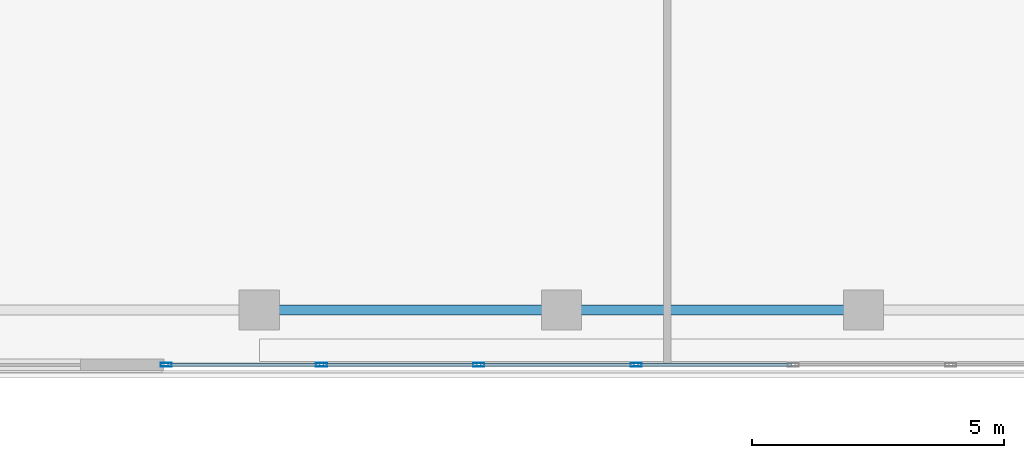
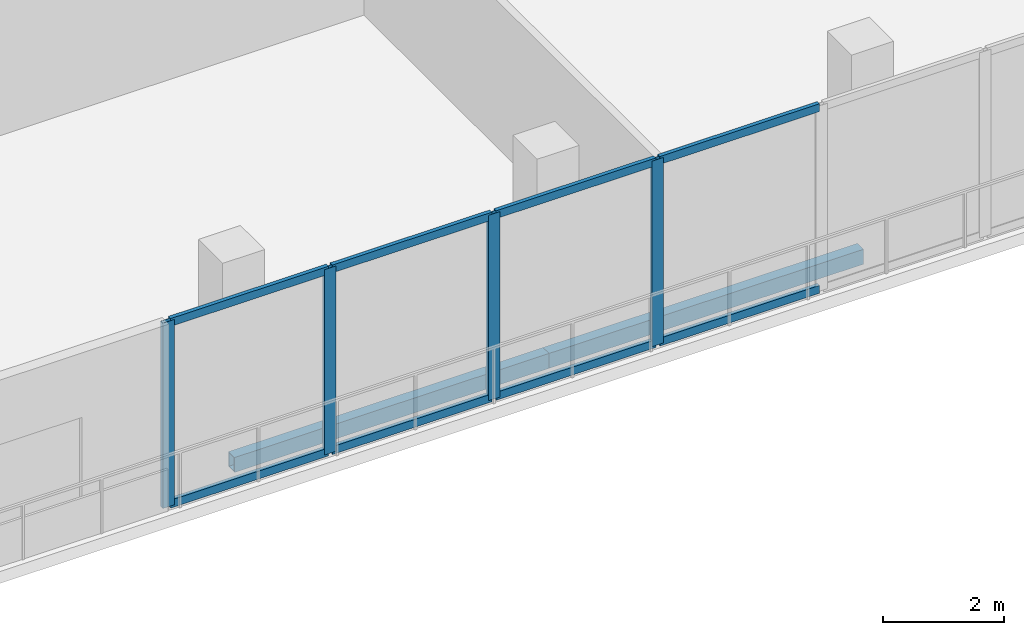
# One storey, part 6 of 26: 12 members, 2 beams, 1 element without a shape of its own.
"""IFC4 building model written with IfcOpenShell, lengths in metres."""

from ifc_helpers import new_model, si_unit, direction, frame, origin, origin_2d, place, context, subcontext, project, spatial, hollow_rectangle, extrude, material, layer, layer_set, material_profile, profile_set, type_object, element, aggregate, save


model = new_model("IFC4")

# Units and contexts
model_context = context("Model", 3, precision=1e-05, world=origin(), true_north=direction((0.0, 1.0)))
body_context = subcontext(model_context, "Body", "Model", "MODEL_VIEW")
ifc_project = project(units=[si_unit("LENGTHUNIT", "METRE"), si_unit("AREAUNIT", "SQUARE_METRE"), si_unit("VOLUMEUNIT", "CUBIC_METRE"), si_unit("PLANEANGLEUNIT", "RADIAN"), si_unit("MASSUNIT", "GRAM", prefix="KILO")], contexts=[model_context])

# Site, building, storey
site_placement = place(None, origin())
site = spatial("IfcSite", under=ifc_project, at=site_placement, CompositionType="ELEMENT")
building_placement = place(site_placement, origin())
building = spatial("IfcBuilding", under=site, at=building_placement, Name="Tanjung Sevakor Pilgrim Tower", CompositionType="ELEMENT")
storey_placement = place(building_placement, frame((0.0, 0.0, 177.8701171875)))
storey = spatial("IfcBuildingStorey", under=building, at=storey_placement, Name="L49", CompositionType="ELEMENT", Elevation=177.8701171875)

# Beams
ifc_material_1 = material(Name="Steel S355J2", Category="steel")
ifc_material_profile_1 = material_profile(ifc_material_1, hollow_rectangle(XDim=0.199951171875, YDim=0.300048828125, WallThickness=0.012451171875, at=origin_2d()))
ifc_profile_set_1 = profile_set([ifc_material_profile_1], Name="Steel S355J2")
beam_type = type_object("IfcBeamType", Name="BM-B-SP3-RHS_300x200x12.5", PredefinedType="SPANDREL", material=ifc_profile_set_1)
for number, where, z_axis, x_axis, name in (
    (1, (60.0, 13.25, -0.43017578125), (1.0, 0.0, 0.0), (0.0, 1.0, 0.0), "L49 Spandrel MAIN S-07"),
    (2, (66.0, 13.25, -0.43017578125), (1.0, 0.0, 0.0), (0.0, 1.0, 0.0), "L49 Spandrel MAIN S-09"),
):
    element("IfcBeam", number, at=place(storey_placement, frame(where, z_axis=z_axis, x_axis=x_axis)), inside=storey, type_object=beam_type, Name=name, PredefinedType="SPANDREL", context=body_context, shape_type="SweptSolid", body=[
        extrude(hollow_rectangle(XDim=0.199951171875, YDim=0.300048828125, WallThickness=0.012451171875, at=origin_2d()), origin(), (0.0, 0.0, 1.0), 6.0),
    ])

# Curtain wall, members
ifc_material_2 = material(Name="Aluminium 6063-T6 and Low-E Glass", Category="aluminium")
ifc_layer = layer(ifc_material_2, 0.199951171875)
ifc_layer_set = layer_set([ifc_layer], Name="CW-SYS-SKY")
curtain_wall_type = type_object("IfcCurtainWallType", Name="CW-SYS-SKY", PredefinedType="NOTDEFINED", material=ifc_layer_set)
curtain_wall_placement = place(storey_placement, origin())
curtain_wall = element("IfcCurtainWall", 3, at=curtain_wall_placement, inside=storey, type_object=curtain_wall_type, Name="L49 Curtain Wall CW-SKY-L49-S", PredefinedType="NOTDEFINED")
ifc_material_3 = material(Name="Aluminium 6063-T6", Category="aluminium")
ifc_material_profile_2 = material_profile(ifc_material_3, hollow_rectangle(XDim=0.074951171875, YDim=0.219970703125, WallThickness=0.0048828125, at=origin_2d()))
ifc_profile_set_2 = profile_set([ifc_material_profile_2], Name="Aluminium 6063-T6")
member_type_1 = type_object("IfcMemberType", Name="TYPE-CWM-2", PredefinedType="MULLION", material=ifc_profile_set_2)
member_1_placement = place(storey_placement, frame((58.1474609375, 12.159912109375, 0.0), z_axis=(0.0, 0.0, 1.0), x_axis=(0.0, 1.0, 0.0)))
member_1 = element("IfcMember", 4, at=member_1_placement, type_object=member_type_1, Name="CW-SKY mullion 1", PredefinedType="MULLION", context=body_context, shape_type="SweptSolid", body=[
    extrude(hollow_rectangle(XDim=0.074951171875, YDim=0.219970703125, WallThickness=0.0048828125, at=origin_2d()), origin(), (0.0, 0.0, 1.0), 3.739990234375),
])
member_2_placement = place(storey_placement, frame((61.234375, 12.159912109375, 0.0), z_axis=(0.0, 0.0, 1.0), x_axis=(0.0, 1.0, 0.0)))
member_2 = element("IfcMember", 5, at=member_2_placement, type_object=member_type_1, Name="CW-SKY mullion 2", PredefinedType="MULLION", context=body_context, shape_type="SweptSolid", body=[
    extrude(hollow_rectangle(XDim=0.074951171875, YDim=0.219970703125, WallThickness=0.0048828125, at=origin_2d()), origin(), (0.0, 0.0, 1.0), 3.739990234375),
])
member_3_placement = place(storey_placement, frame((64.35888671875, 12.159912109375, 0.0), z_axis=(0.0, 0.0, 1.0), x_axis=(0.0, 1.0, 0.0)))
member_3 = element("IfcMember", 6, at=member_3_placement, type_object=member_type_1, Name="CW-SKY mullion 3", PredefinedType="MULLION", context=body_context, shape_type="SweptSolid", body=[
    extrude(hollow_rectangle(XDim=0.074951171875, YDim=0.219970703125, WallThickness=0.0048828125, at=origin_2d()), origin(), (0.0, 0.0, 1.0), 3.739990234375),
])
member_4_placement = place(storey_placement, frame((67.4833984375, 12.159912109375, 0.0), z_axis=(0.0, 0.0, 1.0), x_axis=(0.0, 1.0, 0.0)))
member_4 = element("IfcMember", 7, at=member_4_placement, type_object=member_type_1, Name="CW-SKY mullion 4", PredefinedType="MULLION", context=body_context, shape_type="SweptSolid", body=[
    extrude(hollow_rectangle(XDim=0.074951171875, YDim=0.219970703125, WallThickness=0.0048828125, at=origin_2d()), origin(), (0.0, 0.0, 1.0), 3.739990234375),
])
ifc_material_4 = material(Name="Aluminium 6063-T6", Category="aluminium")
ifc_material_profile_3 = material_profile(ifc_material_4, hollow_rectangle(XDim=0.074951171875, YDim=0.159912109375, WallThickness=0.00439453125, at=origin_2d()))
ifc_profile_set_3 = profile_set([ifc_material_profile_3], Name="Aluminium 6063-T6")
member_type_2 = type_object("IfcMemberType", Name="TYPE-CWT-2", PredefinedType="USERDEFINED", material=ifc_profile_set_3)
member_5_placement = place(storey_placement, frame((58.18505859375, 12.159912109375, 0.037353515625), z_axis=(1.0, 0.0, 0.0), x_axis=(0.0, 1.0, 0.0)))
member_5 = element("IfcMember", 8, at=member_5_placement, type_object=member_type_2, Name="CW-SKY transom 1.1", ObjectType="TRANSOM", PredefinedType="USERDEFINED", context=body_context, shape_type="SweptSolid", body=[
    extrude(hollow_rectangle(XDim=0.074951171875, YDim=0.159912109375, WallThickness=0.00439453125, at=origin_2d()), origin(), (0.0, 0.0, 1.0), 3.011962890625),
])
member_6_placement = place(storey_placement, frame((58.18505859375, 12.159912109375, 3.702392578125), z_axis=(1.0, 0.0, 0.0), x_axis=(0.0, 1.0, 0.0)))
member_6 = element("IfcMember", 9, at=member_6_placement, type_object=member_type_2, Name="CW-SKY transom 1.2", ObjectType="TRANSOM", PredefinedType="USERDEFINED", context=body_context, shape_type="SweptSolid", body=[
    extrude(hollow_rectangle(XDim=0.074951171875, YDim=0.159912109375, WallThickness=0.00439453125, at=origin_2d()), origin(), (0.0, 0.0, 1.0), 3.011962890625),
])
member_7_placement = place(storey_placement, frame((61.27197265625, 12.159912109375, 0.037353515625), z_axis=(1.0, 0.0, 0.0), x_axis=(0.0, 1.0, 0.0)))
member_7 = element("IfcMember", 10, at=member_7_placement, type_object=member_type_2, Name="CW-SKY transom 2.1", ObjectType="TRANSOM", PredefinedType="USERDEFINED", context=body_context, shape_type="SweptSolid", body=[
    extrude(hollow_rectangle(XDim=0.074951171875, YDim=0.159912109375, WallThickness=0.00439453125, at=origin_2d()), origin(), (0.0, 0.0, 1.0), 3.04931640625),
])
member_8_placement = place(storey_placement, frame((61.27197265625, 12.159912109375, 3.702392578125), z_axis=(1.0, 0.0, 0.0), x_axis=(0.0, 1.0, 0.0)))
member_8 = element("IfcMember", 11, at=member_8_placement, type_object=member_type_2, Name="CW-SKY transom 2.2", ObjectType="TRANSOM", PredefinedType="USERDEFINED", context=body_context, shape_type="SweptSolid", body=[
    extrude(hollow_rectangle(XDim=0.074951171875, YDim=0.159912109375, WallThickness=0.00439453125, at=origin_2d()), origin(), (0.0, 0.0, 1.0), 3.04931640625),
])
member_9_placement = place(storey_placement, frame((64.396484375, 12.159912109375, 0.037353515625), z_axis=(1.0, 0.0, 0.0), x_axis=(0.0, 1.0, 0.0)))
member_9 = element("IfcMember", 12, at=member_9_placement, type_object=member_type_2, Name="CW-SKY transom 3.1", ObjectType="TRANSOM", PredefinedType="USERDEFINED", context=body_context, shape_type="SweptSolid", body=[
    extrude(hollow_rectangle(XDim=0.074951171875, YDim=0.159912109375, WallThickness=0.00439453125, at=origin_2d()), origin(), (0.0, 0.0, 1.0), 3.04931640625),
])
member_10_placement = place(storey_placement, frame((64.396484375, 12.159912109375, 3.702392578125), z_axis=(1.0, 0.0, 0.0), x_axis=(0.0, 1.0, 0.0)))
member_10 = element("IfcMember", 13, at=member_10_placement, type_object=member_type_2, Name="CW-SKY transom 3.2", ObjectType="TRANSOM", PredefinedType="USERDEFINED", context=body_context, shape_type="SweptSolid", body=[
    extrude(hollow_rectangle(XDim=0.074951171875, YDim=0.159912109375, WallThickness=0.00439453125, at=origin_2d()), origin(), (0.0, 0.0, 1.0), 3.04931640625),
])
member_11_placement = place(storey_placement, frame((67.520751953125, 12.159912109375, 0.037353515625), z_axis=(1.0, 0.0, 0.0), x_axis=(0.0, 1.0, 0.0)))
member_11 = element("IfcMember", 14, at=member_11_placement, type_object=member_type_2, Name="CW-SKY transom 4.1", ObjectType="TRANSOM", PredefinedType="USERDEFINED", context=body_context, shape_type="SweptSolid", body=[
    extrude(hollow_rectangle(XDim=0.074951171875, YDim=0.159912109375, WallThickness=0.00439453125, at=origin_2d()), origin(), (0.0, 0.0, 1.0), 3.049560546875),
])
member_12_placement = place(storey_placement, frame((67.520751953125, 12.159912109375, 3.702392578125), z_axis=(1.0, 0.0, 0.0), x_axis=(0.0, 1.0, 0.0)))
member_12 = element("IfcMember", 15, at=member_12_placement, type_object=member_type_2, Name="CW-SKY transom 4.2", ObjectType="TRANSOM", PredefinedType="USERDEFINED", context=body_context, shape_type="SweptSolid", body=[
    extrude(hollow_rectangle(XDim=0.074951171875, YDim=0.159912109375, WallThickness=0.00439453125, at=origin_2d()), origin(), (0.0, 0.0, 1.0), 3.049560546875),
])
aggregate(curtain_wall, [member_1, member_2, member_3, member_4, member_5, member_6, member_7, member_8, member_9, member_10, member_11, member_12])

save(model, "model.ifc")
